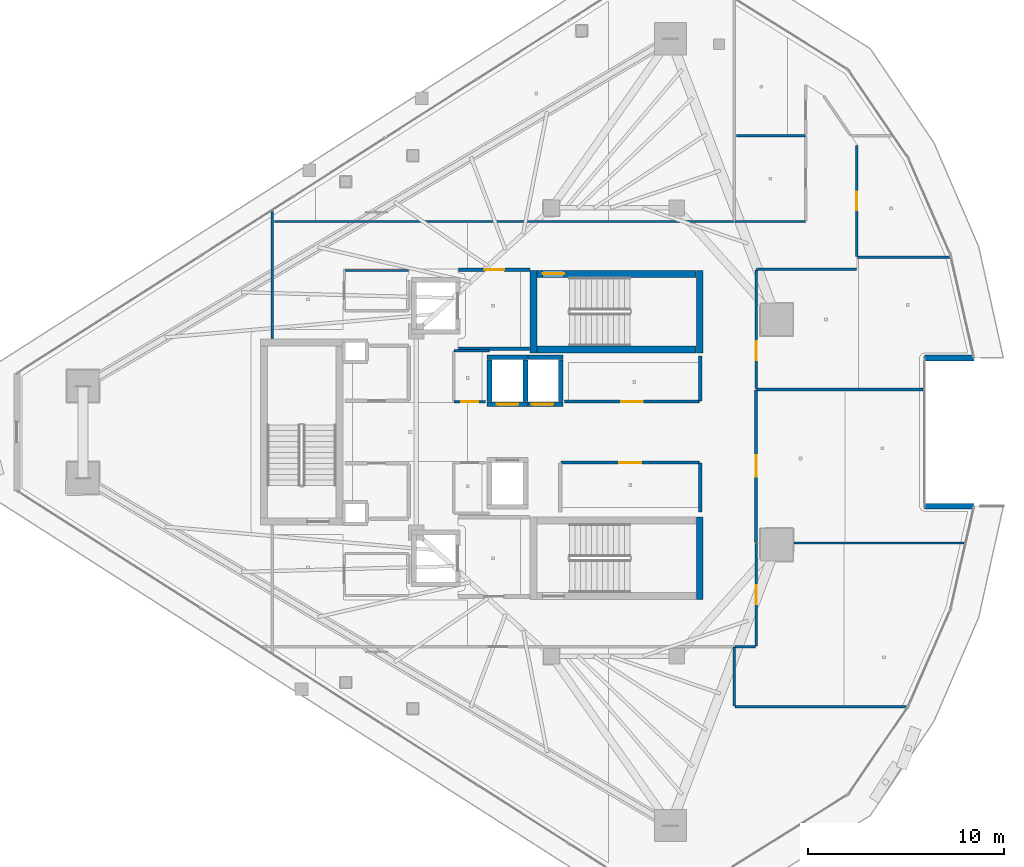
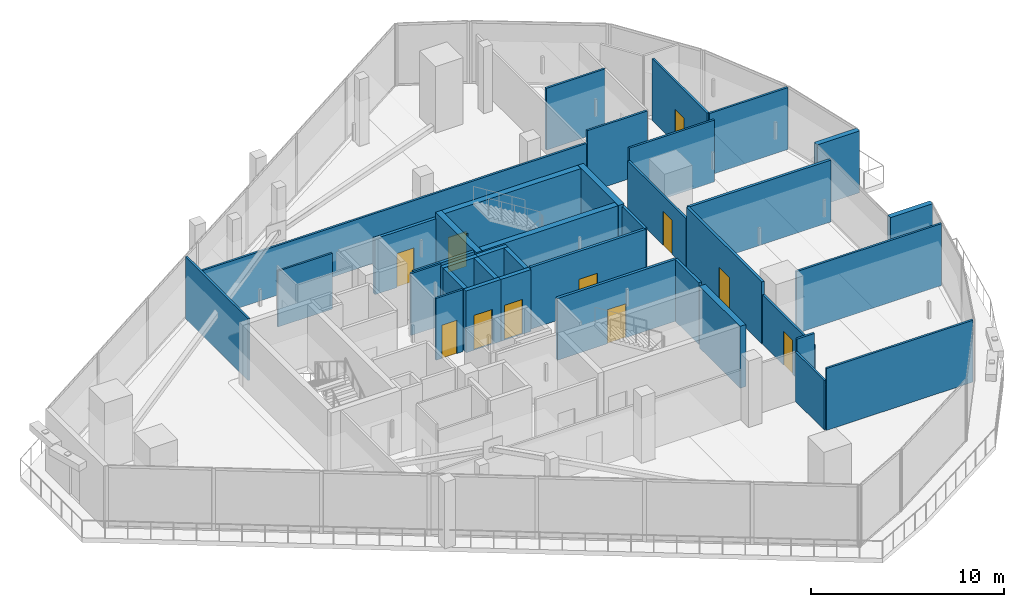
# One storey, part 26 of 34: 38 walls, 11 doors, 11 openings.
"""IFC4 building model written with IfcOpenShell, lengths in metres."""

from ifc_helpers import new_model, si_unit, direction, frame, frame_2d, origin, place, context, subcontext, project, spatial, rectangle, extrude, material, layer, layer_set, type_object, element, fill, save


model = new_model("IFC4")

# Units and contexts
model_context = context("Model", 3, precision=1e-05, world=origin(), true_north=direction((0.0, 1.0)))
body_context = subcontext(model_context, "Body", "Model", "MODEL_VIEW")
ifc_project = project(units=[si_unit("LENGTHUNIT", "METRE"), si_unit("AREAUNIT", "SQUARE_METRE"), si_unit("VOLUMEUNIT", "CUBIC_METRE"), si_unit("PLANEANGLEUNIT", "RADIAN"), si_unit("MASSUNIT", "GRAM", prefix="KILO")], contexts=[model_context])

# Site, building, storey
site_placement = place(None, origin())
site = spatial("IfcSite", under=ifc_project, at=site_placement, CompositionType="ELEMENT")
building_placement = place(site_placement, origin())
building = spatial("IfcBuilding", under=site, at=building_placement, Name="Qorvath Tower", CompositionType="ELEMENT")
storey_placement = place(building_placement, frame((0.0, 0.0, 276.60009765625)))
storey = spatial("IfcBuildingStorey", under=building, at=storey_placement, Name="L64", CompositionType="ELEMENT", Elevation=276.60009765625)

# Wall
ifc_material_1 = material(Name="Gypsum shaftliner on steel studs", Category="steel")
ifc_layer_1 = layer(ifc_material_1, 0.179931640625)
ifc_layer_set_1 = layer_set([ifc_layer_1], Name="FW-LOBBY")
wall_type_1 = type_object("IfcWallType", Name="FW-LOBBY", PredefinedType="PARTITIONING", material=ifc_layer_set_1)
wall_1_placement = place(storey_placement, frame((-28.35498046875, 4.25, 0.0), z_axis=(0.0, 0.0, 1.0), x_axis=(1.0, 0.0, 0.0)))
element("IfcWall", 1, at=wall_1_placement, inside=storey, type_object=wall_type_1, Name="Interior Partition IW-T1-L64-001", PredefinedType="PARTITIONING", context=body_context, shape_type="SweptSolid", body=[
    extrude(rectangle(XDim=3.6220703125, YDim=0.179931640625, at=frame_2d((1.81103515625, 0.0))), origin(), (0.0, 0.0, 1.0), 3.909912109375),
])

# Wall, opening, door
wall_2_placement = place(storey_placement, frame((-24.68408203125, 8.300048828125, 0.0), z_axis=(0.0, 0.0, 1.0), x_axis=(-1.0, 0.0, 0.0)))
wall_2 = element("IfcWall", 2, at=wall_2_placement, inside=storey, type_object=wall_type_1, Name="Interior Partition IW-T1-L64-002", PredefinedType="PARTITIONING", context=body_context, shape_type="SweptSolid", body=[
    extrude(rectangle(XDim=3.6708984375, YDim=0.179931640625, at=frame_2d((1.83544921875, 0.0))), origin(), (0.0, 0.0, 1.0), 3.52880859375),
])
opening_1_placement = place(wall_2_placement, frame((1.33544921875, 0.0, 0.0)))
opening_1 = element("IfcOpeningElement", 3, at=opening_1_placement, cuts=wall_2, Name="Opening D-T1-L64-14", PredefinedType="OPENING", context=body_context, shape_type="SweptSolid", body=[
    extrude(rectangle(XDim=1.0, YDim=2.14990234375, at=frame_2d((0.5, 1.074951171875))), frame((0.0, 0.10009765625, 0.0), z_axis=(0.0, -1.0, 0.0), x_axis=(1.0, 0.0, 0.0)), (0.0, 0.0, 1.0), 0.199951171875),
])
ifc_material_2 = material(Name="Painted galvanised hollow metal", Category="steel")
door_type_1 = type_object("IfcDoorType", Name="FD-60", OperationType="NOTDEFINED", PredefinedType="DOOR", material=ifc_material_2)
door_1_placement = place(opening_1_placement, origin())
door_1 = element("IfcDoor", 4, at=door_1_placement, inside=storey, type_object=door_type_1, Name="Lobby Fire Service Elevator North Door D-T1-L64-14", OperationType="SINGLE_SWING_RIGHT", OverallHeight=2.14990234375, OverallWidth=1.0, PredefinedType="DOOR", context=body_context, shape_type="SweptSolid", body=[
    extrude(rectangle(XDim=1.0, YDim=2.14990234375, at=frame_2d((0.5, 1.074951171875))), frame((0.0, 0.02490234375, 0.0), z_axis=(0.0, -1.0, 0.0), x_axis=(1.0, 0.0, 0.0)), (0.0, 0.0, 1.0), 0.050048828125),
])
fill(opening_1, door_1)

ifc_material_3 = material(Name="Double acoustic gypsum board on steel studs", Category="steel")
ifc_layer_2 = layer(ifc_material_3, 0.159912109375)
ifc_layer_set_2 = layer_set([ifc_layer_2], Name="IW-ACOUSTIC-160")
wall_type_2 = type_object("IfcWallType", Name="IW-ACOUSTIC-160", PredefinedType="PARTITIONING", material=ifc_layer_set_2)
wall_3_placement = place(storey_placement, frame((-22.933837890625, 1.56005859375, 0.0), z_axis=(0.0, 0.0, 1.0), x_axis=(1.0, 0.0, 0.0)))
wall_3 = element("IfcWall", 5, at=wall_3_placement, inside=storey, type_object=wall_type_2, Name="Interior Partition IW-T1-L64-013", PredefinedType="PARTITIONING", context=body_context, shape_type="SweptSolid", body=[
    extrude(rectangle(XDim=6.908935546875, YDim=0.159912109375, at=frame_2d((3.45458984375, 0.0))), origin(), (0.0, 0.0, 1.0), 3.909912109375),
])
opening_2_placement = place(wall_3_placement, frame((2.904541015625, 0.0, 0.0)))
opening_2 = element("IfcOpeningElement", 6, at=opening_2_placement, cuts=wall_3, Name="Opening D-T1-L64-03", PredefinedType="OPENING", context=body_context, shape_type="SweptSolid", body=[
    extrude(rectangle(XDim=1.10009765625, YDim=2.14990234375, at=frame_2d((0.550048828125, 1.074951171875))), frame((0.0, 0.08984375, 0.0), z_axis=(0.0, -1.0, 0.0), x_axis=(1.0, 0.0, 0.0)), (0.0, 0.0, 1.0), 0.179931640625),
])
ifc_material_4 = material(Name="Anodised aluminium acoustic framed glass", Category="aluminium")
door_type_2 = type_object("IfcDoorType", Name="D-03", OperationType="NOTDEFINED", PredefinedType="DOOR", material=ifc_material_4)
door_2_placement = place(opening_2_placement, origin())
door_2 = element("IfcDoor", 7, at=door_2_placement, inside=storey, type_object=door_type_2, Name="L64-RCN North Executive Support Office Door D-T1-L64-03", OperationType="SINGLE_SWING_LEFT", OverallHeight=2.14990234375, OverallWidth=1.10009765625, PredefinedType="DOOR", context=body_context, shape_type="SweptSolid", body=[
    extrude(rectangle(XDim=1.10009765625, YDim=2.14990234375, at=frame_2d((0.550048828125, 1.074951171875))), frame((0.0, 0.02490234375, 0.0), z_axis=(0.0, -1.0, 0.0), x_axis=(1.0, 0.0, 0.0)), (0.0, 0.0, 1.0), 0.050048828125),
])
fill(opening_2, door_2)

# Walls
wall_4_placement = place(storey_placement, frame((-16.0, 1.585205078125, 0.0), z_axis=(0.0, 0.0, 1.0), x_axis=(0.0, 1.0, 0.0)))
element("IfcWall", 8, at=wall_4_placement, inside=storey, type_object=wall_type_2, Name="Interior Partition IW-T1-L64-014", PredefinedType="PARTITIONING", context=body_context, shape_type="SweptSolid", body=[
    extrude(rectangle(XDim=2.30224609375, YDim=0.159912109375, at=frame_2d((1.151123046875, 0.0))), origin(), (0.0, 0.0, 1.0), 3.909912109375),
])
wall_5_placement = place(storey_placement, frame((-16.0, -4.0751953125, 0.0), z_axis=(0.0, 0.0, 1.0), x_axis=(0.0, 1.0, 0.0)))
element("IfcWall", 9, at=wall_5_placement, inside=storey, type_object=wall_type_2, Name="Interior Partition IW-T1-L64-016", PredefinedType="PARTITIONING", context=body_context, shape_type="SweptSolid", body=[
    extrude(rectangle(XDim=2.489990234375, YDim=0.159912109375, at=frame_2d((1.2451171875, 0.0))), origin(), (0.0, 0.0, 1.0), 3.909912109375),
])

# Wall, opening, door
wall_6_placement = place(storey_placement, frame((-16.02490234375, -1.56005859375, 0.0), z_axis=(0.0, 0.0, 1.0), x_axis=(-1.0, 0.0, 0.0)))
wall_6 = element("IfcWall", 10, at=wall_6_placement, inside=storey, type_object=wall_type_2, Name="Interior Partition IW-T1-L64-017", PredefinedType="PARTITIONING", context=body_context, shape_type="SweptSolid", body=[
    extrude(rectangle(XDim=7.10009765625, YDim=0.159912109375, at=frame_2d((3.550048828125, 0.0))), origin(), (0.0, 0.0, 1.0), 3.909912109375),
])
opening_3_placement = place(wall_6_placement, frame((3.0, 0.0, 0.0)))
opening_3 = element("IfcOpeningElement", 11, at=opening_3_placement, cuts=wall_6, Name="Opening D-T1-L64-04", PredefinedType="OPENING", context=body_context, shape_type="SweptSolid", body=[
    extrude(rectangle(XDim=1.10009765625, YDim=2.14990234375, at=frame_2d((0.550048828125, 1.074951171875))), frame((0.0, 0.08984375, 0.0), z_axis=(0.0, -1.0, 0.0), x_axis=(1.0, 0.0, 0.0)), (0.0, 0.0, 1.0), 0.179931640625),
])
door_3_placement = place(opening_3_placement, origin())
door_3 = element("IfcDoor", 12, at=door_3_placement, inside=storey, type_object=door_type_2, Name="L64-RCS South Executive Support Office Door D-T1-L64-04", OperationType="SINGLE_SWING_RIGHT", OverallHeight=2.14990234375, OverallWidth=1.10009765625, PredefinedType="DOOR", context=body_context, shape_type="SweptSolid", body=[
    extrude(rectangle(XDim=1.10009765625, YDim=2.14990234375, at=frame_2d((0.550048828125, 1.074951171875))), frame((0.0, 0.02490234375, 0.0), z_axis=(0.0, -1.0, 0.0), x_axis=(1.0, 0.0, 0.0)), (0.0, 0.0, 1.0), 0.050048828125),
])
fill(opening_3, door_3)

# Wall
wall_7_placement = place(storey_placement, frame((-4.61865234375, 2.18408203125, 0.0), z_axis=(0.0, 0.0, 1.0), x_axis=(-1.0, 0.0, 0.0)))
element("IfcWall", 13, at=wall_7_placement, inside=storey, type_object=wall_type_2, Name="Interior Partition IW-T1-L64-040", PredefinedType="PARTITIONING", context=body_context, shape_type="SweptSolid", body=[
    extrude(rectangle(XDim=8.49853515625, YDim=0.159912109375, at=frame_2d((4.249267578125, 0.0))), origin(), (0.0, 0.0, 1.0), 3.909912109375),
])

# Wall, opening, door
wall_8_placement = place(storey_placement, frame((-13.14208984375, 2.1591796875, 0.0), z_axis=(0.0, 0.0, 1.0), x_axis=(0.0, -1.0, 0.0)))
wall_8 = element("IfcWall", 14, at=wall_8_placement, inside=storey, type_object=wall_type_2, Name="Interior Partition IW-T1-L64-041", PredefinedType="PARTITIONING", context=body_context, shape_type="SweptSolid", body=[
    extrude(rectangle(XDim=7.79296875, YDim=0.159912109375, at=frame_2d((3.896484375, 0.0))), origin(), (0.0, 0.0, 1.0), 3.909912109375),
])
opening_4_placement = place(wall_8_placement, frame((3.346435546875, 0.0, 0.0)))
opening_4 = element("IfcOpeningElement", 15, at=opening_4_placement, cuts=wall_8, Name="Opening D-T1-L64-11", PredefinedType="OPENING", context=body_context, shape_type="SweptSolid", body=[
    extrude(rectangle(XDim=1.10009765625, YDim=2.14990234375, at=frame_2d((0.550048828125, 1.074951171875))), frame((0.0, 0.08984375, 0.0), z_axis=(0.0, -1.0, 0.0), x_axis=(1.0, 0.0, 0.0)), (0.0, 0.0, 1.0), 0.179931640625),
])
door_4_placement = place(opening_4_placement, origin())
door_4 = element("IfcDoor", 16, at=door_4_placement, inside=storey, type_object=door_type_2, Name="L64-03 Client Services Office Door D-T1-L64-11", OperationType="SINGLE_SWING_LEFT", OverallHeight=2.14990234375, OverallWidth=1.10009765625, PredefinedType="DOOR", context=body_context, shape_type="SweptSolid", body=[
    extrude(rectangle(XDim=1.10009765625, YDim=2.14990234375, at=frame_2d((0.550048828125, 1.074951171875))), frame((0.0, 0.02490234375, 0.0), z_axis=(0.0, -1.0, 0.0), x_axis=(1.0, 0.0, 0.0)), (0.0, 0.0, 1.0), 0.050048828125),
])
fill(opening_4, door_4)

ifc_material_5 = material(Name="Gypsum board on metal studs with mineral wool", Category="gypsum")
ifc_layer_3 = layer(ifc_material_5, 0.125)
ifc_layer_set_3 = layer_set([ifc_layer_3], Name="IW-PART-125")
wall_type_3 = type_object("IfcWallType", Name="IW-PART-125", PredefinedType="PARTITIONING", material=ifc_layer_set_3)
wall_9_placement = place(storey_placement, frame((-28.5751953125, 1.56005859375, 0.0), z_axis=(0.0, 0.0, 1.0), x_axis=(1.0, 0.0, 0.0)))
wall_9 = element("IfcWall", 17, at=wall_9_placement, inside=storey, type_object=wall_type_3, Name="Interior Partition IW-T1-L64-019", PredefinedType="PARTITIONING", context=body_context, shape_type="SweptSolid", body=[
    extrude(rectangle(XDim=1.609130859375, YDim=0.125, at=frame_2d((0.8046875, 0.0))), origin(), (0.0, 0.0, 1.0), 3.909912109375),
])
opening_5_placement = place(wall_9_placement, frame((0.364501953125, 0.0, 0.0)))
opening_5 = element("IfcOpeningElement", 18, at=opening_5_placement, cuts=wall_9, Name="Opening D-T1-L64-05", PredefinedType="OPENING", context=body_context, shape_type="SweptSolid", body=[
    extrude(rectangle(XDim=0.8798828125, YDim=2.10009765625, at=frame_2d((0.43994140625, 1.050048828125))), frame((0.0, 0.072509765625, 0.0), z_axis=(0.0, -1.0, 0.0), x_axis=(1.0, 0.0, 0.0)), (0.0, 0.0, 1.0), 0.14501953125),
])
ifc_material_6 = material(Name="Solid-core oak with acoustic drop seal", Category="wood")
door_type_3 = type_object("IfcDoorType", Name="D-02", OperationType="NOTDEFINED", PredefinedType="DOOR", material=ifc_material_6)
door_5_placement = place(opening_5_placement, origin())
door_5 = element("IfcDoor", 19, at=door_5_placement, inside=storey, type_object=door_type_3, Name="L64-RCWN Executive Archive Suite Door D-T1-L64-05", OperationType="SINGLE_SWING_LEFT", OverallHeight=2.10009765625, OverallWidth=0.8798828125, PredefinedType="DOOR", context=body_context, shape_type="SweptSolid", body=[
    extrude(rectangle(XDim=0.8798828125, YDim=2.10009765625, at=frame_2d((0.43994140625, 1.050048828125))), frame((0.0, 0.02490234375, 0.0), z_axis=(0.0, -1.0, 0.0), x_axis=(1.0, 0.0, 0.0)), (0.0, 0.0, 1.0), 0.050048828125),
])
fill(opening_5, door_5)

# Walls
wall_10_placement = place(storey_placement, frame((-26.77490234375, 4.14990234375, 0.0), z_axis=(0.0, 0.0, 1.0), x_axis=(-1.0, 0.0, 0.0)))
element("IfcWall", 20, at=wall_10_placement, inside=storey, type_object=wall_type_3, Name="Interior Partition IW-T1-L64-020", PredefinedType="PARTITIONING", context=body_context, shape_type="SweptSolid", body=[
    extrude(rectangle(XDim=1.80029296875, YDim=0.125, at=frame_2d((0.900146484375, 0.0))), origin(), (0.0, 0.0, 1.0), 3.909912109375),
])
wall_11_placement = place(storey_placement, frame((-14.22509765625, -14.021484375, 0.0), z_axis=(0.0, 0.0, 1.0), x_axis=(0.999999627134, -0.000863557536, 0.0)))
element("IfcWall", 21, at=wall_11_placement, inside=storey, type_object=wall_type_3, Name="Interior Partition IW-T1-L64-030", PredefinedType="PARTITIONING", context=body_context, shape_type="SweptSolid", body=[
    extrude(rectangle(XDim=8.76416015625, YDim=0.125, at=frame_2d((4.382080078125, 0.0))), origin(), (0.0, 0.0, 1.0), 3.909912109375),
])
wall_12_placement = place(storey_placement, frame((-14.25, -13.99658203125, 0.0), z_axis=(0.0, 0.0, 1.0), x_axis=(0.0, 1.0, 0.0)))
element("IfcWall", 22, at=wall_12_placement, inside=storey, type_object=wall_type_3, Name="Interior Partition IW-T1-L64-031", PredefinedType="PARTITIONING", context=body_context, shape_type="SweptSolid", body=[
    extrude(rectangle(XDim=3.013671875, YDim=0.125, at=frame_2d((1.5068359375, 0.0))), origin(), (0.0, 0.0, 1.0), 3.1298828125),
])
wall_13_placement = place(storey_placement, frame((-37.85791015625, 11.265380859375, 0.0), z_axis=(0.0, 0.0, 1.0), x_axis=(0.0, -1.0, 0.0)))
element("IfcWall", 23, at=wall_13_placement, inside=storey, type_object=wall_type_3, Name="Interior Partition IW-T1-L64-034", PredefinedType="PARTITIONING", context=body_context, shape_type="SweptSolid", body=[
    extrude(rectangle(XDim=6.482177734375, YDim=0.125, at=frame_2d((3.2412109375, 0.0))), origin(), (0.0, 0.0, 1.0), 3.909912109375),
])
wall_14_placement = place(storey_placement, frame((-14.27490234375, 10.758056640625, 0.0), z_axis=(0.0, 0.0, 1.0), x_axis=(-1.0, 0.0, 0.0)))
element("IfcWall", 24, at=wall_14_placement, inside=storey, type_object=wall_type_3, Name="Interior Partition IW-T1-L64-035", PredefinedType="PARTITIONING", context=body_context, shape_type="SweptSolid", body=[
    extrude(rectangle(XDim=23.472900390625, YDim=0.125, at=frame_2d((11.736328125, 0.0))), origin(), (0.0, 0.0, 1.0), 3.1298828125),
])
wall_15_placement = place(storey_placement, frame((-2.519775390625, -5.666748046875, 0.0), z_axis=(0.0, 0.0, 1.0), x_axis=(-1.0, 0.0, 0.0)))
element("IfcWall", 25, at=wall_15_placement, inside=storey, type_object=wall_type_3, Name="Interior Partition IW-T1-L64-037", PredefinedType="PARTITIONING", context=body_context, shape_type="SweptSolid", body=[
    extrude(rectangle(XDim=8.68701171875, YDim=0.125, at=frame_2d((4.343505859375, 0.0))), origin(), (0.0, 0.0, 1.0), 3.909912109375),
])

# Wall, opening, door
wall_16_placement = place(storey_placement, frame((-13.14208984375, -5.691650390625, 0.0), z_axis=(0.0, 0.0, 1.0), x_axis=(0.0, -1.0, 0.0)))
wall_16 = element("IfcWall", 26, at=wall_16_placement, inside=storey, type_object=wall_type_3, Name="Interior Partition IW-T1-L64-038", PredefinedType="PARTITIONING", context=body_context, shape_type="SweptSolid", body=[
    extrude(rectangle(XDim=5.241455078125, YDim=0.125, at=frame_2d((2.62060546875, 0.0))), origin(), (0.0, 0.0, 1.0), 3.1298828125),
])
opening_6_placement = place(wall_16_placement, frame((2.145751953125, 0.0, 0.0)))
opening_6 = element("IfcOpeningElement", 27, at=opening_6_placement, cuts=wall_16, Name="Opening D-T1-L64-10", PredefinedType="OPENING", context=body_context, shape_type="SweptSolid", body=[
    extrude(rectangle(XDim=0.949951171875, YDim=2.14990234375, at=frame_2d((0.47509765625, 1.074951171875))), frame((0.0, 0.072509765625, 0.0), z_axis=(0.0, -1.0, 0.0), x_axis=(1.0, 0.0, 0.0)), (0.0, 0.0, 1.0), 0.14501953125),
])
ifc_material_7 = material(Name="Solid-core American white oak veneer", Category="wood")
door_type_4 = type_object("IfcDoorType", Name="D-01", OperationType="NOTDEFINED", PredefinedType="DOOR", material=ifc_material_7)
door_6_placement = place(opening_6_placement, origin())
door_6 = element("IfcDoor", 28, at=door_6_placement, inside=storey, type_object=door_type_4, Name="L64-02 Staff Refreshment Pantry and Coffee Bar Door D-T1-L64-10", OperationType="SINGLE_SWING_RIGHT", OverallHeight=2.14990234375, OverallWidth=0.949951171875, PredefinedType="DOOR", context=body_context, shape_type="SweptSolid", body=[
    extrude(rectangle(XDim=0.949951171875, YDim=2.14990234375, at=frame_2d((0.47509765625, 1.074951171875))), frame((0.0, 0.02490234375, 0.0), z_axis=(0.0, -1.0, 0.0), x_axis=(1.0, 0.0, 0.0)), (0.0, 0.0, 1.0), 0.050048828125),
])
fill(opening_6, door_6)

# Walls
wall_17_placement = place(storey_placement, frame((-14.216796875, -10.9580078125, 0.0), z_axis=(0.0, 0.0, 1.0), x_axis=(1.0, 0.0, 0.0)))
element("IfcWall", 29, at=wall_17_placement, inside=storey, type_object=wall_type_3, Name="Interior Partition IW-T1-L64-039", PredefinedType="PARTITIONING", context=body_context, shape_type="SweptSolid", body=[
    extrude(rectangle(XDim=1.0498046875, YDim=0.125, at=frame_2d((0.52490234375, 0.0))), origin(), (0.0, 0.0, 1.0), 3.909912109375),
])
wall_18_placement = place(storey_placement, frame((-3.26806640625, 8.943115234375, 0.0), z_axis=(0.0, 0.0, 1.0), x_axis=(-1.0, 0.0, 0.0)))
element("IfcWall", 30, at=wall_18_placement, inside=storey, type_object=wall_type_3, Name="Interior Partition IW-T1-L64-042", PredefinedType="PARTITIONING", context=body_context, shape_type="SweptSolid", body=[
    extrude(rectangle(XDim=4.69873046875, YDim=0.125, at=frame_2d((2.349365234375, 0.0))), origin(), (0.0, 0.0, 1.0), 3.909912109375),
])
wall_19_placement = place(storey_placement, frame((-8.016845703125, 8.31201171875, 0.0), z_axis=(0.0, 0.0, 1.0), x_axis=(-1.0, 0.0, 0.0)))
element("IfcWall", 31, at=wall_19_placement, inside=storey, type_object=wall_type_3, Name="Interior Partition IW-T1-L64-043", PredefinedType="PARTITIONING", context=body_context, shape_type="SweptSolid", body=[
    extrude(rectangle(XDim=5.100341796875, YDim=0.125, at=frame_2d((2.55029296875, 0.0))), origin(), (0.0, 0.0, 1.0), 3.909912109375),
])

# Wall, opening, door
wall_20_placement = place(storey_placement, frame((-13.14208984375, 8.287109375, 0.0), z_axis=(0.0, 0.0, 1.0), x_axis=(0.0, -1.0, 0.0)))
wall_20 = element("IfcWall", 32, at=wall_20_placement, inside=storey, type_object=wall_type_3, Name="Interior Partition IW-T1-L64-044", PredefinedType="PARTITIONING", context=body_context, shape_type="SweptSolid", body=[
    extrude(rectangle(XDim=6.070068359375, YDim=0.125, at=frame_2d((3.03515625, 0.0))), origin(), (0.0, 0.0, 1.0), 3.1298828125),
])
opening_7_placement = place(wall_20_placement, frame((3.6572265625, 0.0, 0.0)))
opening_7 = element("IfcOpeningElement", 33, at=opening_7_placement, cuts=wall_20, Name="Opening D-T1-L64-12", PredefinedType="OPENING", context=body_context, shape_type="SweptSolid", body=[
    extrude(rectangle(XDim=0.949951171875, YDim=2.14990234375, at=frame_2d((0.47509765625, 1.074951171875))), frame((0.0, 0.072509765625, 0.0), z_axis=(0.0, -1.0, 0.0), x_axis=(1.0, 0.0, 0.0)), (0.0, 0.0, 1.0), 0.14501953125),
])
door_7_placement = place(opening_7_placement, origin())
door_7 = element("IfcDoor", 34, at=door_7_placement, inside=storey, type_object=door_type_4, Name="L64-04 Project Collaboration Workspace Door D-T1-L64-12", OperationType="SINGLE_SWING_RIGHT", OverallHeight=2.14990234375, OverallWidth=0.949951171875, PredefinedType="DOOR", context=body_context, shape_type="SweptSolid", body=[
    extrude(rectangle(XDim=0.949951171875, YDim=2.14990234375, at=frame_2d((0.47509765625, 1.074951171875))), frame((0.0, 0.02490234375, 0.0), z_axis=(0.0, -1.0, 0.0), x_axis=(1.0, 0.0, 0.0)), (0.0, 0.0, 1.0), 0.050048828125),
])
fill(opening_7, door_7)

wall_21_placement = place(storey_placement, frame((-7.991943359375, 14.653076171875, 0.0), z_axis=(0.0, 0.0, 1.0), x_axis=(0.0, -1.0, 0.0)))
wall_21 = element("IfcWall", 35, at=wall_21_placement, inside=storey, type_object=wall_type_3, Name="Interior Partition IW-T1-L64-046", PredefinedType="PARTITIONING", context=body_context, shape_type="SweptSolid", body=[
    extrude(rectangle(XDim=5.6767578125, YDim=0.125, at=frame_2d((2.83837890625, 0.0))), origin(), (0.0, 0.0, 1.0), 3.909912109375),
])
opening_8_placement = place(wall_21_placement, frame((2.36328125, 0.0, 0.0)))
opening_8 = element("IfcOpeningElement", 36, at=opening_8_placement, cuts=wall_21, Name="Opening D-T1-L64-16", PredefinedType="OPENING", context=body_context, shape_type="SweptSolid", body=[
    extrude(rectangle(XDim=0.949951171875, YDim=2.14990234375, at=frame_2d((0.47509765625, 1.074951171875))), frame((0.0, 0.072509765625, 0.0), z_axis=(0.0, -1.0, 0.0), x_axis=(1.0, 0.0, 0.0)), (0.0, 0.0, 1.0), 0.14501953125),
])
door_8_placement = place(opening_8_placement, origin())
door_8 = element("IfcDoor", 37, at=door_8_placement, inside=storey, type_object=door_type_4, Name="L64-05 Staff Wellness Studio Door D-T1-L64-16", OperationType="SINGLE_SWING_RIGHT", OverallHeight=2.14990234375, OverallWidth=0.949951171875, PredefinedType="DOOR", context=body_context, shape_type="SweptSolid", body=[
    extrude(rectangle(XDim=0.949951171875, YDim=2.14990234375, at=frame_2d((0.47509765625, 1.074951171875))), frame((0.0, 0.02490234375, 0.0), z_axis=(0.0, -1.0, 0.0), x_axis=(1.0, 0.0, 0.0)), (0.0, 0.0, 1.0), 0.050048828125),
])
fill(opening_8, door_8)

# Walls
wall_22_placement = place(storey_placement, frame((-14.216796875, 10.758056640625, 0.0), z_axis=(0.0, 0.0, 1.0), x_axis=(1.0, 0.0, 0.0)))
element("IfcWall", 38, at=wall_22_placement, inside=storey, type_object=wall_type_3, Name="Interior Partition IW-T1-L64-047", PredefinedType="PARTITIONING", context=body_context, shape_type="SweptSolid", body=[
    extrude(rectangle(XDim=3.583984375, YDim=0.125, at=frame_2d((1.7919921875, 0.0))), origin(), (0.0, 0.0, 1.0), 3.909912109375),
])
wall_23_placement = place(storey_placement, frame((-10.6328125, 15.133544921875, 0.0), z_axis=(0.0, 0.0, 1.0), x_axis=(-1.0, 0.0, 0.0)))
element("IfcWall", 39, at=wall_23_placement, inside=storey, type_object=wall_type_3, Name="Interior Partition IW-T1-L64-049", PredefinedType="PARTITIONING", context=body_context, shape_type="SweptSolid", body=[
    extrude(rectangle(XDim=3.507080078125, YDim=0.125, at=frame_2d((1.75341796875, 0.0))), origin(), (0.0, 0.0, 1.0), 3.909912109375),
])
ifc_material_8 = material(Name="Moisture-resistant cement board on metal studs", Category="gypsum")
ifc_layer_4 = layer(ifc_material_8, 0.110107421875)
ifc_layer_set_4 = layer_set([ifc_layer_4], Name="IW-WC-110")
wall_type_4 = type_object("IfcWallType", Name="IW-WC-110", PredefinedType="PARTITIONING", material=ifc_layer_set_4)
wall_24_placement = place(storey_placement, frame((-30.90478515625, 8.25, 0.0), z_axis=(0.0, 0.0, 1.0), x_axis=(-1.0, 0.0, 0.0)))
element("IfcWall", 40, at=wall_24_placement, inside=storey, type_object=wall_type_4, Name="Interior Partition IW-T1-L64-008", PredefinedType="PARTITIONING", context=body_context, shape_type="SweptSolid", body=[
    extrude(rectangle(XDim=3.25, YDim=0.110107421875, at=frame_2d((1.625, 0.0))), origin(), (0.0, 0.0, 1.0), 3.52880859375),
])

# Wall, opening, door
ifc_material_9 = material(Name="Concrete C60/75", Category="concrete")
ifc_layer_5 = layer(ifc_material_9, 0.260009765625)
ifc_layer_set_5 = layer_set([ifc_layer_5], Name="SW-SHAFT")
wall_type_5 = type_object("IfcWallType", Name="SW-SHAFT", PredefinedType="SHEAR", material=ifc_layer_set_5)
wall_25_placement = place(storey_placement, frame((-24.81005859375, 1.429931640625, 0.0), z_axis=(0.0, 0.0, 1.0), x_axis=(-1.0, 0.0, 0.0)))
wall_25 = element("IfcWall", 41, at=wall_25_placement, inside=storey, type_object=wall_type_5, Name="Hoistway Wall PH-1 L64 S", PredefinedType="SHEAR", context=body_context, shape_type="SweptSolid", body=[
    extrude(rectangle(XDim=2.079833984375, YDim=0.239990234375, at=frame_2d((1.0400390625, 0.0))), origin(), (0.0, 0.0, 1.0), 3.909912109375),
])
opening_9_placement = place(wall_25_placement, frame((0.489990234375, 0.0, 0.0)))
opening_9 = element("IfcOpeningElement", 42, at=opening_9_placement, cuts=wall_25, Name="Opening LD-PH-1-L64", PredefinedType="OPENING", context=body_context, shape_type="SweptSolid", body=[
    extrude(rectangle(XDim=1.10009765625, YDim=2.199951171875, at=frame_2d((0.550048828125, 1.10009765625))), frame((0.0, 0.1298828125, 0.0), z_axis=(0.0, -1.0, 0.0), x_axis=(1.0, 0.0, 0.0)), (0.0, 0.0, 1.0), 0.260009765625),
])
ifc_material_10 = material(Name="Brushed stainless steel AISI 316", Category="steel")
door_type_5 = type_object("IfcDoorType", Name="LD-01", OperationType="NOTDEFINED", PredefinedType="DOOR", material=ifc_material_10)
door_9_placement = place(opening_9_placement, origin())
door_9 = element("IfcDoor", 43, at=door_9_placement, inside=storey, type_object=door_type_5, Name="Elevator Landing Sliding Door LD-PH-1-L64", OperationType="DOUBLE_DOOR_SLIDING", OverallHeight=2.199951171875, OverallWidth=1.10009765625, PredefinedType="DOOR", context=body_context, shape_type="SweptSolid", body=[
    extrude(rectangle(XDim=1.10009765625, YDim=2.199951171875, at=frame_2d((0.550048828125, 1.10009765625))), frame((0.0, 0.02490234375, 0.0), z_axis=(0.0, -1.0, 0.0), x_axis=(1.0, 0.0, 0.0)), (0.0, 0.0, 1.0), 0.050048828125),
])
fill(opening_9, door_9)

# Walls
wall_26_placement = place(storey_placement, frame((-26.889892578125, 3.820068359375, 0.0), z_axis=(0.0, 0.0, 1.0), x_axis=(1.0, 0.0, 0.0)))
element("IfcWall", 44, at=wall_26_placement, inside=storey, type_object=wall_type_5, Name="Hoistway Wall PH-1 L64 N", PredefinedType="SHEAR", context=body_context, shape_type="SweptSolid", body=[
    extrude(rectangle(XDim=2.079833984375, YDim=0.239990234375, at=frame_2d((1.0400390625, 0.0))), origin(), (0.0, 0.0, 1.0), 3.909912109375),
])
for number, where, z_axis, x_axis, name in (
    (45, (-26.77001953125, 1.56201171875, 0.0), (0.0, 0.0, 1.0), (0.0, 1.0, 0.0), "Hoistway Wall PH-1 L64 W"),
    (46, (-24.929931640625, 3.68798828125, 0.0), (0.0, 0.0, 1.0), (0.0, -1.0, 0.0), "Hoistway Wall PH-1 L64 E"),
):
    element("IfcWall", number, at=place(storey_placement, frame(where, z_axis=z_axis, x_axis=x_axis)), inside=storey, type_object=wall_type_5, Name=name, PredefinedType="SHEAR", context=body_context, shape_type="SweptSolid", body=[
        extrude(rectangle(XDim=2.1259765625, YDim=0.239990234375, at=frame_2d((1.06298828125, 0.0))), origin(), (0.0, 0.0, 1.0), 3.909912109375),
    ])

# Wall, opening, door
wall_27_placement = place(storey_placement, frame((-23.010009765625, 1.429931640625, 0.0), z_axis=(0.0, 0.0, 1.0), x_axis=(-1.0, 0.0, 0.0)))
wall_27 = element("IfcWall", 47, at=wall_27_placement, inside=storey, type_object=wall_type_5, Name="Hoistway Wall PH-2 L64 S", PredefinedType="SHEAR", context=body_context, shape_type="SweptSolid", body=[
    extrude(rectangle(XDim=1.800048828125, YDim=0.239990234375, at=frame_2d((0.89990234375, 0.0))), origin(), (0.0, 0.0, 1.0), 3.909912109375),
])
opening_10_placement = place(wall_27_placement, frame((0.489990234375, 0.0, 0.0)))
opening_10 = element("IfcOpeningElement", 48, at=opening_10_placement, cuts=wall_27, Name="Opening LD-PH-2-L64", PredefinedType="OPENING", context=body_context, shape_type="SweptSolid", body=[
    extrude(rectangle(XDim=1.10009765625, YDim=2.199951171875, at=frame_2d((0.550048828125, 1.10009765625))), frame((0.0, 0.1298828125, 0.0), z_axis=(0.0, -1.0, 0.0), x_axis=(1.0, 0.0, 0.0)), (0.0, 0.0, 1.0), 0.260009765625),
])
door_10_placement = place(opening_10_placement, origin())
door_10 = element("IfcDoor", 49, at=door_10_placement, inside=storey, type_object=door_type_5, Name="Elevator Landing Sliding Door LD-PH-2-L64", OperationType="DOUBLE_DOOR_SLIDING", OverallHeight=2.199951171875, OverallWidth=1.10009765625, PredefinedType="DOOR", context=body_context, shape_type="SweptSolid", body=[
    extrude(rectangle(XDim=1.10009765625, YDim=2.199951171875, at=frame_2d((0.550048828125, 1.10009765625))), frame((0.0, 0.02490234375, 0.0), z_axis=(0.0, -1.0, 0.0), x_axis=(1.0, 0.0, 0.0)), (0.0, 0.0, 1.0), 0.050048828125),
])
fill(opening_10, door_10)

# Walls
wall_28_placement = place(storey_placement, frame((-24.81005859375, 3.820068359375, 0.0), z_axis=(0.0, 0.0, 1.0), x_axis=(1.0, 0.0, 0.0)))
element("IfcWall", 50, at=wall_28_placement, inside=storey, type_object=wall_type_5, Name="Hoistway Wall PH-2 L64 N", PredefinedType="SHEAR", context=body_context, shape_type="SweptSolid", body=[
    extrude(rectangle(XDim=1.800048828125, YDim=0.239990234375, at=frame_2d((0.89990234375, 0.0))), origin(), (0.0, 0.0, 1.0), 3.909912109375),
])
wall_29_placement = place(storey_placement, frame((-23.1298828125, 3.68798828125, 0.0), z_axis=(0.0, 0.0, 1.0), x_axis=(0.0, -1.0, 0.0)))
element("IfcWall", 51, at=wall_29_placement, inside=storey, type_object=wall_type_5, Name="Hoistway Wall PH-2 L64 E", PredefinedType="SHEAR", context=body_context, shape_type="SweptSolid", body=[
    extrude(rectangle(XDim=2.1259765625, YDim=0.239990234375, at=frame_2d((1.06298828125, 0.0))), origin(), (0.0, 0.0, 1.0), 3.909912109375),
])
ifc_material_11 = material(Name="Concrete C60/75", Category="concrete")
ifc_layer_6 = layer(ifc_material_11, 0.35009765625)
ifc_layer_set_6 = layer_set([ifc_layer_6], Name="SW-STAIR")
wall_type_6 = type_object("IfcWallType", Name="SW-STAIR", PredefinedType="SHEAR", material=ifc_layer_set_6)
for number, where, z_axis, x_axis, name in (
    (52, (-24.52490234375, 8.260009765625, 0.0), (0.0, 0.0, 1.0), (0.0, -1.0, 0.0), "Stair TS1 Shear Wall L64 NEAR"),
    (53, (-16.02490234375, 4.050048828125, 0.0), (0.0, 0.0, 1.0), (0.0, 1.0, 0.0), "Stair TS1 Shear Wall L64 FAR"),
):
    element("IfcWall", number, at=place(storey_placement, frame(where, z_axis=z_axis, x_axis=x_axis)), inside=storey, type_object=wall_type_6, Name=name, PredefinedType="SHEAR", context=body_context, shape_type="SweptSolid", body=[
        extrude(rectangle(XDim=4.2099609375, YDim=0.35009765625, at=frame_2d((2.10498046875, 0.0))), origin(), (0.0, 0.0, 1.0), 3.909912109375),
    ])
wall_30_placement = place(storey_placement, frame((-24.3349609375, 4.22509765625, 0.0), z_axis=(0.0, 0.0, 1.0), x_axis=(1.0, 0.0, 0.0)))
element("IfcWall", 54, at=wall_30_placement, inside=storey, type_object=wall_type_6, Name="Stair TS1 Shear Wall L64 LEFT", PredefinedType="SHEAR", context=body_context, shape_type="SweptSolid", body=[
    extrude(rectangle(XDim=8.119873046875, YDim=0.35009765625, at=frame_2d((4.06005859375, 0.0))), origin(), (0.0, 0.0, 1.0), 3.909912109375),
])

# Wall, opening, door
wall_31_placement = place(storey_placement, frame((-16.215087890625, 8.0849609375, 0.0), z_axis=(0.0, 0.0, 1.0), x_axis=(-1.0, 0.0, 0.0)))
wall_31 = element("IfcWall", 55, at=wall_31_placement, inside=storey, type_object=wall_type_6, Name="Stair TS1 Shear Wall L64 RIGHT", PredefinedType="SHEAR", context=body_context, shape_type="SweptSolid", body=[
    extrude(rectangle(XDim=8.119873046875, YDim=0.35009765625, at=frame_2d((4.06005859375, 0.0))), origin(), (0.0, 0.0, 1.0), 3.909912109375),
])
opening_11_placement = place(wall_31_placement, frame((6.739990234375, 0.0, 0.0)))
opening_11 = element("IfcOpeningElement", 56, at=opening_11_placement, cuts=wall_31, Name="Opening D-TS1-L64", PredefinedType="OPENING", context=body_context, shape_type="SweptSolid", body=[
    extrude(rectangle(XDim=1.10009765625, YDim=2.199951171875, at=frame_2d((0.550048828125, 1.10009765625))), frame((0.0, 0.18505859375, 0.0), z_axis=(0.0, -1.0, 0.0), x_axis=(1.0, 0.0, 0.0)), (0.0, 0.0, 1.0), 0.3701171875),
])
ifc_material_12 = material(Name="Painted galvanised hollow metal", Category="steel")
door_type_6 = type_object("IfcDoorType", Name="FD-90", OperationType="NOTDEFINED", PredefinedType="DOOR", material=ifc_material_12)
door_11_placement = place(opening_11_placement, origin())
door_11 = element("IfcDoor", 57, at=door_11_placement, inside=storey, type_object=door_type_6, Name="Stair TS1 Fire Door L64", OperationType="SINGLE_SWING_LEFT", OverallHeight=2.199951171875, OverallWidth=1.10009765625, PredefinedType="DOOR", context=body_context, shape_type="SweptSolid", body=[
    extrude(rectangle(XDim=1.10009765625, YDim=2.199951171875, at=frame_2d((0.550048828125, 1.10009765625))), frame((0.0, 0.02490234375, 0.0), z_axis=(0.0, -1.0, 0.0), x_axis=(1.0, 0.0, 0.0)), (0.0, 0.0, 1.0), 0.050048828125),
])
fill(opening_11, door_11)

# Walls
wall_32_placement = place(storey_placement, frame((-16.02490234375, -8.550048828125, 0.0), z_axis=(0.0, 0.0, 1.0), x_axis=(0.0, 1.0, 0.0)))
element("IfcWall", 58, at=wall_32_placement, inside=storey, type_object=wall_type_6, Name="Stair TS2 Shear Wall L64 FAR", PredefinedType="SHEAR", context=body_context, shape_type="SweptSolid", body=[
    extrude(rectangle(XDim=4.2099609375, YDim=0.35009765625, at=frame_2d((2.10498046875, 0.0))), origin(), (0.0, 0.0, 1.0), 3.909912109375),
])
ifc_material_13 = material(Name="Precast concrete C45/55", Category="concrete")
ifc_layer_7 = layer(ifc_material_13, 0.300048828125)
ifc_layer_set_7 = layer_set([ifc_layer_7], Name="WL-EW-LOG-300")
wall_type_7 = type_object("IfcWallType", Name="WL-EW-LOG-300", PredefinedType="SOLIDWALL", material=ifc_layer_set_7)
for number, where, z_axis, x_axis, name in (
    (59, (-2.011474609375, -3.790771484375, 0.0), (0.0, 0.0, 1.0), (-1.0, 0.0, 0.0), "Tower Precast Loggia Wall L64-8.1"),
    (60, (-4.538818359375, 3.790771484375, 0.0), (0.0, 0.0, 1.0), (1.0, 0.0, 0.0), "Tower Precast Loggia Wall L64-10.1"),
):
    element("IfcWall", number, at=place(storey_placement, frame(where, z_axis=z_axis, x_axis=x_axis)), inside=storey, type_object=wall_type_7, Name=name, PredefinedType="SOLIDWALL", context=body_context, shape_type="SweptSolid", body=[
        extrude(rectangle(XDim=2.52734375, YDim=0.300048828125, at=frame_2d((1.263671875, 0.0))), origin(), (0.0, 0.0, 1.0), 3.909912109375),
    ])

save(model, "model.ifc")
